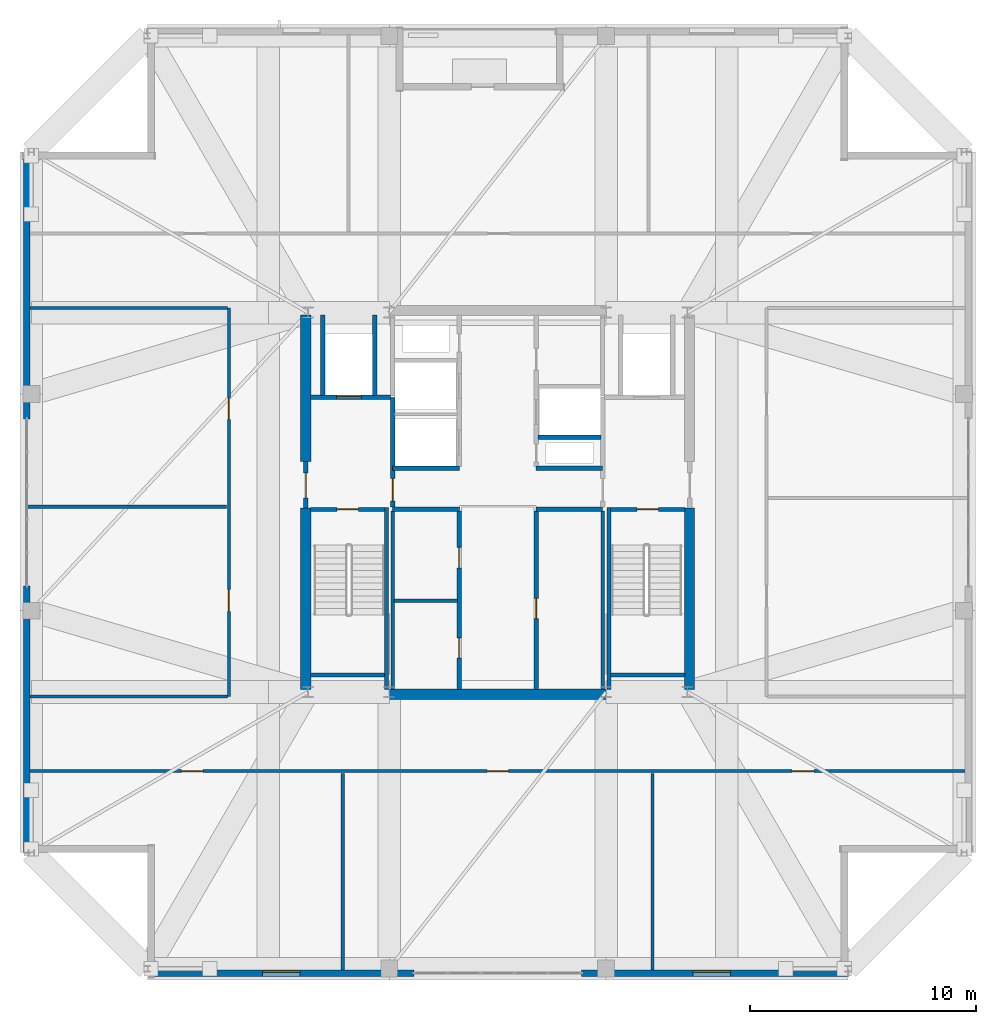
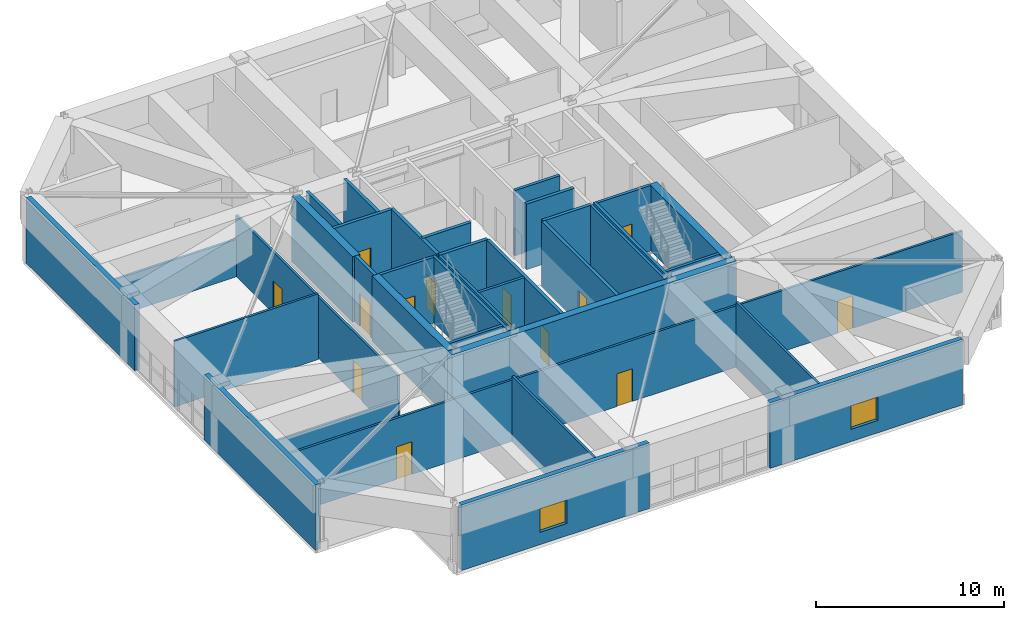
# One storey, part 12 of 17: 36 walls, 13 doors, 2 windows, 15 openings.
"""IFC4 building model written with IfcOpenShell, lengths in metres."""

from ifc_helpers import new_model, si_unit, direction, frame, frame_2d, origin, place, context, subcontext, project, spatial, rectangle, extrude, material, layer, layer_set, type_object, element, fill, save


model = new_model("IFC4")

# Units and contexts
model_context = context("Model", 3, precision=1e-05, world=origin(), true_north=direction((0.0, 1.0)))
body_context = subcontext(model_context, "Body", "Model", "MODEL_VIEW")
ifc_project = project(units=[si_unit("LENGTHUNIT", "METRE"), si_unit("AREAUNIT", "SQUARE_METRE"), si_unit("VOLUMEUNIT", "CUBIC_METRE"), si_unit("PLANEANGLEUNIT", "RADIAN"), si_unit("MASSUNIT", "GRAM", prefix="KILO")], contexts=[model_context])

# Site, building, storey
site_placement = place(None, origin())
site = spatial("IfcSite", under=ifc_project, at=site_placement, CompositionType="ELEMENT")
building_placement = place(site_placement, origin())
building = spatial("IfcBuilding", under=site, at=building_placement, Name="Cairnveth Concourse Tower", CompositionType="ELEMENT")
storey_placement = place(building_placement, frame((0.0, 0.0, 320.0)))
storey = spatial("IfcBuildingStorey", under=building, at=storey_placement, Name="L88", CompositionType="ELEMENT", Elevation=320.0)

# Walls
ifc_material_1 = material(Name="Gypsum Plasterboard Partition", Category="gypsum")
ifc_layer_1 = layer(ifc_material_1, 0.159912109375)
ifc_layer_set_1 = layer_set([ifc_layer_1], Name="Gypsum Plasterboard Partition")
wall_type_1 = type_object("IfcWallType", Name="ACOUSTIC PARTY WALL 180", PredefinedType="PARTITIONING", material=ifc_layer_set_1)
wall_1_placement = place(storey_placement, frame((47.35009765625, 30.7099609375, 0.0), z_axis=(0.0, 0.0, 1.0), x_axis=(0.0, 1.0, 0.0)))
element("IfcWall", 1, at=wall_1_placement, inside=storey, type_object=wall_type_1, Name="Interior Wall IW-L88-025", PredefinedType="PARTITIONING", context=body_context, shape_type="SweptSolid", body=[
    extrude(rectangle(XDim=7.905029296875, YDim=0.159912109375, at=frame_2d((3.95263671875, 0.0))), origin(), (0.0, 0.0, 1.0), 4.25),
])
wall_2_placement = place(storey_placement, frame((47.4150390625, 34.64990234375, 0.0), z_axis=(0.0, 0.0, 1.0), x_axis=(1.0, 0.0, 0.0)))
element("IfcWall", 2, at=wall_2_placement, inside=storey, type_object=wall_type_1, Name="Interior Wall IW-L88-026", PredefinedType="PARTITIONING", context=body_context, shape_type="SweptSolid", body=[
    extrude(rectangle(XDim=2.800048828125, YDim=0.159912109375, at=frame_2d((1.39990234375, 0.0))), origin(), (0.0, 0.0, 1.0), 4.25),
])
wall_3_placement = place(storey_placement, frame((56.64990234375, 30.7099609375, 0.0), z_axis=(0.0, 0.0, 1.0), x_axis=(0.0, 1.0, 0.0)))
element("IfcWall", 3, at=wall_3_placement, inside=storey, type_object=wall_type_1, Name="Interior Wall IW-L88-027", PredefinedType="PARTITIONING", context=body_context, shape_type="SweptSolid", body=[
    extrude(rectangle(XDim=7.905029296875, YDim=0.159912109375, at=frame_2d((3.95263671875, 0.0))), origin(), (0.0, 0.0, 1.0), 4.25),
])
ifc_material_2 = material(Name="Concrete N65 (65 MPa)", Category="concrete")
ifc_layer_2 = layer(ifc_material_2, 0.449951171875)
ifc_layer_set_2 = layer_set([ifc_layer_2], Name="Concrete N65 (65 MPa)")
wall_type_2 = type_object("IfcWallType", Name="CORE SHEAR WALL 450", PredefinedType="SHEAR", material=ifc_layer_set_2)
wall_4_placement = place(storey_placement, frame((43.27490234375, 30.5, 0.0), z_axis=(0.0, 0.0, 1.0), x_axis=(1.0, 0.0, 0.0)))
element("IfcWall", 4, at=wall_4_placement, inside=storey, type_object=wall_type_2, Name="Core South Shear Wall L88", PredefinedType="SHEAR", context=body_context, shape_type="SweptSolid", body=[
    extrude(rectangle(XDim=17.4501953125, YDim=0.449951171875, at=frame_2d((8.72509765625, 0.0))), origin(), (0.0, 0.0, 1.0), 4.25),
])
wall_5_placement = place(storey_placement, frame((43.5, 30.715087890625, 0.0), z_axis=(0.0, 0.0, 1.0), x_axis=(0.0, 1.0, 0.0)))
element("IfcWall", 5, at=wall_5_placement, inside=storey, type_object=wall_type_2, Name="Core West Shear Wall S L88", PredefinedType="SHEAR", context=body_context, shape_type="SweptSolid", body=[
    extrude(rectangle(XDim=8.034912109375, YDim=0.449951171875, at=frame_2d((4.017578125, 0.0))), origin(), (0.0, 0.0, 1.0), 4.25),
])
wall_6_placement = place(storey_placement, frame((43.5, 40.800048828125, 0.0), z_axis=(0.0, 0.0, 1.0), x_axis=(0.0, 1.0, 0.0)))
element("IfcWall", 6, at=wall_6_placement, inside=storey, type_object=wall_type_2, Name="Core West Shear Wall N L88", PredefinedType="SHEAR", context=body_context, shape_type="SweptSolid", body=[
    extrude(rectangle(XDim=6.48486328125, YDim=0.449951171875, at=frame_2d((3.242431640625, 0.0))), origin(), (0.0, 0.0, 1.0), 4.25),
])
wall_7_placement = place(storey_placement, frame((60.5, 30.715087890625, 0.0), z_axis=(0.0, 0.0, 1.0), x_axis=(0.0, 1.0, 0.0)))
element("IfcWall", 7, at=wall_7_placement, inside=storey, type_object=wall_type_2, Name="Core East Shear Wall S L88", PredefinedType="SHEAR", context=body_context, shape_type="SweptSolid", body=[
    extrude(rectangle(XDim=8.034912109375, YDim=0.449951171875, at=frame_2d((4.017578125, 0.0))), origin(), (0.0, 0.0, 1.0), 4.25),
])
ifc_material_3 = material(Name="Concrete N50 (50 MPa)", Category="concrete")
ifc_layer_3 = layer(ifc_material_3, 0.179931640625)
ifc_layer_set_3 = layer_set([ifc_layer_3], Name="Concrete N50 (50 MPa)")
wall_type_3 = type_object("IfcWallType", Name="FIRE SHAFT WALL 180", PredefinedType="SOLIDWALL", material=ifc_layer_set_3)
wall_8_placement = place(storey_placement, frame((53.784912109375, 41.8798828125, 0.0), z_axis=(0.0, 0.0, 1.0), x_axis=(1.0, 0.0, 0.0)))
element("IfcWall", 8, at=wall_8_placement, inside=storey, type_object=wall_type_3, Name="Interior Wall IW-L88-032", PredefinedType="SOLIDWALL", context=body_context, shape_type="SweptSolid", body=[
    extrude(rectangle(XDim=2.780029296875, YDim=0.179931640625, at=frame_2d((1.39013671875, 0.0))), origin(), (0.0, 0.0, 1.0), 4.25),
])

# Wall, opening, door
wall_9_placement = place(storey_placement, frame((43.715087890625, 38.68994140625, 0.0), z_axis=(0.0, 0.0, 1.0), x_axis=(1.0, 0.0, 0.0)))
wall_9 = element("IfcWall", 9, at=wall_9_placement, inside=storey, type_object=wall_type_3, Name="Stair ST-1 Shaft Wall NEAR L88", PredefinedType="SOLIDWALL", context=body_context, shape_type="SweptSolid", body=[
    extrude(rectangle(XDim=3.280029296875, YDim=0.179931640625, at=frame_2d((1.64013671875, 0.0))), origin(), (0.0, 0.0, 1.0), 4.25),
])
opening_1_placement = place(wall_9_placement, frame((1.1650390625, 0.0, 0.0)))
opening_1 = element("IfcOpeningElement", 10, at=opening_1_placement, cuts=wall_9, Name="Opening ID12", PredefinedType="OPENING", context=body_context, shape_type="SweptSolid", body=[
    extrude(rectangle(XDim=0.949951171875, YDim=2.14990234375, at=frame_2d((0.47509765625, 1.074951171875))), frame((0.0, 0.099853515625, 0.0), z_axis=(0.0, -1.0, 0.0), x_axis=(1.0, 0.0, 0.0)), (0.0, 0.0, 1.0), 0.199951171875),
])
ifc_material_4 = material(Name="Steel Grade 350", Category="steel")
door_type_1 = type_object("IfcDoorType", Name="FIRE STAIR DOOR 950X2150", OperationType="NOTDEFINED", PredefinedType="DOOR", material=ifc_material_4)
door_1_placement = place(opening_1_placement, origin())
door_1 = element("IfcDoor", 11, at=door_1_placement, inside=storey, type_object=door_type_1, Name="Stair ST-1 Fire Door L88", OperationType="SINGLE_SWING_LEFT", OverallHeight=2.14990234375, OverallWidth=0.949951171875, PredefinedType="DOOR", context=body_context, shape_type="SweptSolid", body=[
    extrude(rectangle(XDim=0.949951171875, YDim=2.14990234375, at=frame_2d((0.47509765625, 1.074951171875))), frame((0.0, 0.02490234375, 0.0), z_axis=(0.0, -1.0, 0.0), x_axis=(1.0, 0.0, 0.0)), (0.0, 0.0, 1.0), 0.050048828125),
])
fill(opening_1, door_1)

# Walls
wall_10_placement = place(storey_placement, frame((43.715087890625, 31.360107421875, 0.0), z_axis=(0.0, 0.0, 1.0), x_axis=(1.0, 0.0, 0.0)))
element("IfcWall", 12, at=wall_10_placement, inside=storey, type_object=wall_type_3, Name="Stair ST-1 Shaft Wall FAR L88", PredefinedType="SOLIDWALL", context=body_context, shape_type="SweptSolid", body=[
    extrude(rectangle(XDim=3.280029296875, YDim=0.179931640625, at=frame_2d((1.64013671875, 0.0))), origin(), (0.0, 0.0, 1.0), 4.25),
])
wall_11_placement = place(storey_placement, frame((47.070068359375, 38.780029296875, 0.0), z_axis=(0.0, 0.0, 1.0), x_axis=(0.0, -1.0, 0.0)))
element("IfcWall", 13, at=wall_11_placement, inside=storey, type_object=wall_type_3, Name="Stair ST-1 Shaft Wall RGHT L88", PredefinedType="SOLIDWALL", context=body_context, shape_type="SweptSolid", body=[
    extrude(rectangle(XDim=8.067138671875, YDim=0.179931640625, at=frame_2d((4.03369140625, 0.0))), origin(), (0.0, 0.0, 1.0), 4.25),
])

# Wall, opening, door
wall_12_placement = place(storey_placement, frame((57.0048828125, 38.68994140625, 0.0), z_axis=(0.0, 0.0, 1.0), x_axis=(1.0, 0.0, 0.0)))
wall_12 = element("IfcWall", 14, at=wall_12_placement, inside=storey, type_object=wall_type_3, Name="Stair ST-2 Shaft Wall NEAR L88", PredefinedType="SOLIDWALL", context=body_context, shape_type="SweptSolid", body=[
    extrude(rectangle(XDim=3.280029296875, YDim=0.179931640625, at=frame_2d((1.64013671875, 0.0))), origin(), (0.0, 0.0, 1.0), 4.25),
])
opening_2_placement = place(wall_12_placement, frame((1.1650390625, 0.0, 0.0)))
opening_2 = element("IfcOpeningElement", 15, at=opening_2_placement, cuts=wall_12, Name="Opening ID12", PredefinedType="OPENING", context=body_context, shape_type="SweptSolid", body=[
    extrude(rectangle(XDim=0.949951171875, YDim=2.14990234375, at=frame_2d((0.47509765625, 1.074951171875))), frame((0.0, 0.099853515625, 0.0), z_axis=(0.0, -1.0, 0.0), x_axis=(1.0, 0.0, 0.0)), (0.0, 0.0, 1.0), 0.199951171875),
])
door_2_placement = place(opening_2_placement, origin())
door_2 = element("IfcDoor", 16, at=door_2_placement, inside=storey, type_object=door_type_1, Name="Stair ST-2 Fire Door L88", OperationType="SINGLE_SWING_RIGHT", OverallHeight=2.14990234375, OverallWidth=0.949951171875, PredefinedType="DOOR", context=body_context, shape_type="SweptSolid", body=[
    extrude(rectangle(XDim=0.949951171875, YDim=2.14990234375, at=frame_2d((0.47509765625, 1.074951171875))), frame((0.0, 0.02490234375, 0.0), z_axis=(0.0, -1.0, 0.0), x_axis=(1.0, 0.0, 0.0)), (0.0, 0.0, 1.0), 0.050048828125),
])
fill(opening_2, door_2)

# Walls
wall_13_placement = place(storey_placement, frame((57.0048828125, 31.360107421875, 0.0), z_axis=(0.0, 0.0, 1.0), x_axis=(1.0, 0.0, 0.0)))
element("IfcWall", 17, at=wall_13_placement, inside=storey, type_object=wall_type_3, Name="Stair ST-2 Shaft Wall FAR L88", PredefinedType="SOLIDWALL", context=body_context, shape_type="SweptSolid", body=[
    extrude(rectangle(XDim=3.280029296875, YDim=0.179931640625, at=frame_2d((1.64013671875, 0.0))), origin(), (0.0, 0.0, 1.0), 4.25),
])
wall_14_placement = place(storey_placement, frame((56.929931640625, 38.780029296875, 0.0), z_axis=(0.0, 0.0, 1.0), x_axis=(0.0, -1.0, 0.0)))
element("IfcWall", 18, at=wall_14_placement, inside=storey, type_object=wall_type_3, Name="Stair ST-2 Shaft Wall LEFT L88", PredefinedType="SOLIDWALL", context=body_context, shape_type="SweptSolid", body=[
    extrude(rectangle(XDim=8.067138671875, YDim=0.179931640625, at=frame_2d((4.03369140625, 0.0))), origin(), (0.0, 0.0, 1.0), 4.25),
])
ifc_layer_4 = layer(ifc_material_3, 0.199951171875)
ifc_layer_set_4 = layer_set([ifc_layer_4], Name="Concrete N50 (50 MPa)")
wall_type_4 = type_object("IfcWallType", Name="FIRE SHAFT WALL 200", PredefinedType="SOLIDWALL", material=ifc_layer_set_4)
for number, where, z_axis, x_axis, name in (
    (19, (47.35009765625, 38.699951171875, 0.0), (0.0, 0.0, 1.0), (1.0, 0.0, 0.0), "Interior Wall IW-L88-007"),
    (20, (47.35009765625, 40.5, 0.0), (0.0, 0.0, 1.0), (1.0, 0.0, 0.0), "Interior Wall IW-L88-008"),
    (21, (53.699951171875, 38.699951171875, 0.0), (0.0, 0.0, 1.0), (1.0, 0.0, 0.0), "Interior Wall IW-L88-009"),
    (22, (53.699951171875, 40.5, 0.0), (0.0, 0.0, 1.0), (1.0, 0.0, 0.0), "Interior Wall IW-L88-010"),
):
    element("IfcWall", number, at=place(storey_placement, frame(where, z_axis=z_axis, x_axis=x_axis)), inside=storey, type_object=wall_type_4, Name=name, PredefinedType="SOLIDWALL", context=body_context, shape_type="SweptSolid", body=[
        extrude(rectangle(XDim=2.949951171875, YDim=0.199951171875, at=frame_2d((1.47509765625, 0.0))), origin(), (0.0, 0.0, 1.0), 4.25),
    ])

# Wall, openings, doors
wall_15_placement = place(storey_placement, frame((50.300048828125, 30.7099609375, 0.0), z_axis=(0.0, 0.0, 1.0), x_axis=(0.0, 1.0, 0.0)))
wall_15 = element("IfcWall", 23, at=wall_15_placement, inside=storey, type_object=wall_type_4, Name="Interior Wall IW-L88-011", PredefinedType="SOLIDWALL", context=body_context, shape_type="SweptSolid", body=[
    extrude(rectangle(XDim=7.905029296875, YDim=0.199951171875, at=frame_2d((3.95263671875, 0.0))), origin(), (0.0, 0.0, 1.0), 4.25),
])
opening_3_placement = place(wall_15_placement, frame((1.389892578125, 0.0, 0.0)))
opening_3 = element("IfcOpeningElement", 24, at=opening_3_placement, cuts=wall_15, Name="Opening ID26", PredefinedType="OPENING", context=body_context, shape_type="SweptSolid", body=[
    extrude(rectangle(XDim=0.89990234375, YDim=2.1201171875, at=frame_2d((0.449951171875, 1.06005859375))), frame((0.0, 0.10986328125, 0.0), z_axis=(0.0, -1.0, 0.0), x_axis=(1.0, 0.0, 0.0)), (0.0, 0.0, 1.0), 0.219970703125),
])
opening_4_placement = place(wall_15_placement, frame((5.389892578125, 0.0, 0.0)))
opening_4 = element("IfcOpeningElement", 25, at=opening_4_placement, cuts=wall_15, Name="Opening ID26", PredefinedType="OPENING", context=body_context, shape_type="SweptSolid", body=[
    extrude(rectangle(XDim=0.89990234375, YDim=2.1201171875, at=frame_2d((0.449951171875, 1.06005859375))), frame((0.0, 0.10986328125, 0.0), z_axis=(0.0, -1.0, 0.0), x_axis=(1.0, 0.0, 0.0)), (0.0, 0.0, 1.0), 0.219970703125),
])
door_type_2 = type_object("IfcDoorType", Name="CORE TOILET FIRE DOOR 900X2120", OperationType="NOTDEFINED", PredefinedType="DOOR", material=ifc_material_4)
door_3_placement = place(opening_3_placement, origin())
door_3 = element("IfcDoor", 26, at=door_3_placement, inside=storey, type_object=door_type_2, Name="Male WC Door L88", OperationType="SINGLE_SWING_LEFT", OverallHeight=2.1201171875, OverallWidth=0.89990234375, PredefinedType="DOOR", context=body_context, shape_type="SweptSolid", body=[
    extrude(rectangle(XDim=0.89990234375, YDim=2.1201171875, at=frame_2d((0.449951171875, 1.06005859375))), frame((0.0, 0.02490234375, 0.0), z_axis=(0.0, -1.0, 0.0), x_axis=(1.0, 0.0, 0.0)), (0.0, 0.0, 1.0), 0.050048828125),
])
fill(opening_3, door_3)
door_4_placement = place(opening_4_placement, origin())
door_4 = element("IfcDoor", 27, at=door_4_placement, inside=storey, type_object=door_type_2, Name="Female WC Door L88", OperationType="SINGLE_SWING_RIGHT", OverallHeight=2.1201171875, OverallWidth=0.89990234375, PredefinedType="DOOR", context=body_context, shape_type="SweptSolid", body=[
    extrude(rectangle(XDim=0.89990234375, YDim=2.1201171875, at=frame_2d((0.449951171875, 1.06005859375))), frame((0.0, 0.02490234375, 0.0), z_axis=(0.0, -1.0, 0.0), x_axis=(1.0, 0.0, 0.0)), (0.0, 0.0, 1.0), 0.050048828125),
])
fill(opening_4, door_4)

# Wall, opening, door
wall_16_placement = place(storey_placement, frame((53.699951171875, 30.7099609375, 0.0), z_axis=(0.0, 0.0, 1.0), x_axis=(0.0, 1.0, 0.0)))
wall_16 = element("IfcWall", 28, at=wall_16_placement, inside=storey, type_object=wall_type_4, Name="Interior Wall IW-L88-012", PredefinedType="SOLIDWALL", context=body_context, shape_type="SweptSolid", body=[
    extrude(rectangle(XDim=7.905029296875, YDim=0.199951171875, at=frame_2d((3.95263671875, 0.0))), origin(), (0.0, 0.0, 1.0), 4.25),
])
opening_5_placement = place(wall_16_placement, frame((3.139892578125, 0.0, 0.0)))
opening_5 = element("IfcOpeningElement", 29, at=opening_5_placement, cuts=wall_16, Name="Opening ID16", PredefinedType="OPENING", context=body_context, shape_type="SweptSolid", body=[
    extrude(rectangle(XDim=0.89990234375, YDim=2.1201171875, at=frame_2d((0.449951171875, 1.06005859375))), frame((0.0, 0.10986328125, 0.0), z_axis=(0.0, -1.0, 0.0), x_axis=(1.0, 0.0, 0.0)), (0.0, 0.0, 1.0), 0.219970703125),
])
door_type_3 = type_object("IfcDoorType", Name="CORE SERVICE DOOR 900X2100", OperationType="NOTDEFINED", PredefinedType="DOOR", material=ifc_material_4)
door_5_placement = place(opening_5_placement, origin())
door_5 = element("IfcDoor", 30, at=door_5_placement, inside=storey, type_object=door_type_3, Name="Sky Pantry Door L88", OperationType="SINGLE_SWING_LEFT", OverallHeight=2.1201171875, OverallWidth=0.89990234375, PredefinedType="DOOR", context=body_context, shape_type="SweptSolid", body=[
    extrude(rectangle(XDim=0.89990234375, YDim=2.1201171875, at=frame_2d((0.449951171875, 1.06005859375))), frame((0.0, 0.02490234375, 0.0), z_axis=(0.0, -1.0, 0.0), x_axis=(1.0, 0.0, 0.0)), (0.0, 0.0, 1.0), 0.050048828125),
])
fill(opening_5, door_5)

wall_17_placement = place(storey_placement, frame((43.5, 38.75, 0.0), z_axis=(0.0, 0.0, 1.0), x_axis=(0.0, 1.0, 0.0)))
wall_17 = element("IfcWall", 31, at=wall_17_placement, inside=storey, type_object=wall_type_4, Name="Interior Wall IW-L88-015", PredefinedType="SOLIDWALL", context=body_context, shape_type="SweptSolid", body=[
    extrude(rectangle(XDim=2.050048828125, YDim=0.199951171875, at=frame_2d((1.02490234375, 0.0))), origin(), (0.0, 0.0, 1.0), 4.25),
])
opening_6_placement = place(wall_17_placement, frame((0.449951171875, 0.0, 0.0)))
opening_6 = element("IfcOpeningElement", 32, at=opening_6_placement, cuts=wall_17, Name="Opening ID06", PredefinedType="OPENING", context=body_context, shape_type="SweptSolid", body=[
    extrude(rectangle(XDim=1.10009765625, YDim=2.14990234375, at=frame_2d((0.550048828125, 1.074951171875))), frame((0.0, 0.10986328125, 0.0), z_axis=(0.0, -1.0, 0.0), x_axis=(1.0, 0.0, 0.0)), (0.0, 0.0, 1.0), 0.219970703125),
])
door_type_4 = type_object("IfcDoorType", Name="FIRE CORRIDOR DOOR 1100X2150", OperationType="NOTDEFINED", PredefinedType="DOOR", material=ifc_material_4)
door_6_placement = place(opening_6_placement, origin())
door_6 = element("IfcDoor", 33, at=door_6_placement, inside=storey, type_object=door_type_4, Name="West Wing to FF Lobby Door L88", OperationType="SINGLE_SWING_LEFT", OverallHeight=2.14990234375, OverallWidth=1.10009765625, PredefinedType="DOOR", context=body_context, shape_type="SweptSolid", body=[
    extrude(rectangle(XDim=1.10009765625, YDim=2.14990234375, at=frame_2d((0.550048828125, 1.074951171875))), frame((0.0, 0.02490234375, 0.0), z_axis=(0.0, -1.0, 0.0), x_axis=(1.0, 0.0, 0.0)), (0.0, 0.0, 1.0), 0.050048828125),
])
fill(opening_6, door_6)

wall_18_placement = place(storey_placement, frame((47.35009765625, 38.784912109375, 0.0), z_axis=(0.0, 0.0, 1.0), x_axis=(0.0, 1.0, 0.0)))
wall_18 = element("IfcWall", 34, at=wall_18_placement, inside=storey, type_object=wall_type_4, Name="Interior Wall IW-L88-016", PredefinedType="SOLIDWALL", context=body_context, shape_type="SweptSolid", body=[
    extrude(rectangle(XDim=4.864990234375, YDim=0.199951171875, at=frame_2d((2.4326171875, 0.0))), origin(), (0.0, 0.0, 1.0), 4.25),
])
opening_7_placement = place(wall_18_placement, frame((0.264892578125, 0.0, 0.0)))
opening_7 = element("IfcOpeningElement", 35, at=opening_7_placement, cuts=wall_18, Name="Opening ID07", PredefinedType="OPENING", context=body_context, shape_type="SweptSolid", body=[
    extrude(rectangle(XDim=1.0, YDim=2.14990234375, at=frame_2d((0.5, 1.074951171875))), frame((0.0, 0.10986328125, 0.0), z_axis=(0.0, -1.0, 0.0), x_axis=(1.0, 0.0, 0.0)), (0.0, 0.0, 1.0), 0.219970703125),
])
door_type_5 = type_object("IfcDoorType", Name="FIRE CORRIDOR DOOR 1000X2150", OperationType="NOTDEFINED", PredefinedType="DOOR", material=ifc_material_4)
door_7_placement = place(opening_7_placement, origin())
door_7 = element("IfcDoor", 36, at=door_7_placement, inside=storey, type_object=door_type_5, Name="FF Lobby West to Lift Lobby Door L88", OperationType="SINGLE_SWING_RIGHT", OverallHeight=2.14990234375, OverallWidth=1.0, PredefinedType="DOOR", context=body_context, shape_type="SweptSolid", body=[
    extrude(rectangle(XDim=1.0, YDim=2.14990234375, at=frame_2d((0.5, 1.074951171875))), frame((0.0, 0.02490234375, 0.0), z_axis=(0.0, -1.0, 0.0), x_axis=(1.0, 0.0, 0.0)), (0.0, 0.0, 1.0), 0.050048828125),
])
fill(opening_7, door_7)

wall_19_placement = place(storey_placement, frame((43.7099609375, 43.64990234375, 0.0), z_axis=(0.0, 0.0, 1.0), x_axis=(1.0, 0.0, 0.0)))
wall_19 = element("IfcWall", 37, at=wall_19_placement, inside=storey, type_object=wall_type_4, Name="Interior Wall IW-L88-017", PredefinedType="SOLIDWALL", context=body_context, shape_type="SweptSolid", body=[
    extrude(rectangle(XDim=3.554931640625, YDim=0.199951171875, at=frame_2d((1.77734375, 0.0))), origin(), (0.0, 0.0, 1.0), 4.25),
])
opening_8_placement = place(wall_19_placement, frame((1.159912109375, 0.0, 0.0)))
opening_8 = element("IfcOpeningElement", 38, at=opening_8_placement, cuts=wall_19, Name="Opening LD-1", PredefinedType="OPENING", context=body_context, shape_type="SweptSolid", body=[
    extrude(rectangle(XDim=1.10009765625, YDim=2.199951171875, at=frame_2d((0.550048828125, 1.10009765625))), frame((0.0, 0.10986328125, 0.0), z_axis=(0.0, -1.0, 0.0), x_axis=(1.0, 0.0, 0.0)), (0.0, 0.0, 1.0), 0.219970703125),
])
ifc_material_5 = material(Name="Architectural Bronze Anodised Aluminium 6063-T6", Category="aluminium")
door_type_6 = type_object("IfcDoorType", Name="LIFT LANDING DOOR 1100X2200", OperationType="SLIDING_TO_LEFT", PredefinedType="DOOR", material=ifc_material_5)
door_8_placement = place(opening_8_placement, origin())
door_8 = element("IfcDoor", 39, at=door_8_placement, inside=storey, type_object=door_type_6, Name="Lift FFL1 Landing Door L88", OperationType="SLIDING_TO_LEFT", OverallHeight=2.199951171875, OverallWidth=1.10009765625, PredefinedType="DOOR", context=body_context, shape_type="SweptSolid", body=[
    extrude(rectangle(XDim=1.10009765625, YDim=2.199951171875, at=frame_2d((0.550048828125, 1.10009765625))), frame((0.0, 0.02490234375, 0.0), z_axis=(0.0, -1.0, 0.0), x_axis=(1.0, 0.0, 0.0)), (0.0, 0.0, 1.0), 0.050048828125),
])
fill(opening_8, door_8)

# Walls
for number, where, z_axis, x_axis, name in (
    (40, (46.550048828125, 43.735107421875, 0.0), (0.0, 0.0, 1.0), (0.0, 1.0, 0.0), "Interior Wall IW-L88-018"),
    (41, (44.25, 43.735107421875, 0.0), (0.0, 0.0, 1.0), (0.0, 1.0, 0.0), "Interior Wall IW-L88-019"),
):
    element("IfcWall", number, at=place(storey_placement, frame(where, z_axis=z_axis, x_axis=x_axis)), inside=storey, type_object=wall_type_4, Name=name, PredefinedType="SOLIDWALL", context=body_context, shape_type="SweptSolid", body=[
        extrude(rectangle(XDim=3.554931640625, YDim=0.199951171875, at=frame_2d((1.77734375, 0.0))), origin(), (0.0, 0.0, 1.0), 4.25),
    ])

# Wall, openings, doors
ifc_layer_5 = layer(ifc_material_1, 0.139892578125)
ifc_layer_set_5 = layer_set([ifc_layer_5], Name="Gypsum Plasterboard Partition")
wall_type_5 = type_object("IfcWallType", Name="GYPSUM STUD PARTITION 140", PredefinedType="PARTITIONING", material=ifc_layer_set_5)
wall_20_placement = place(storey_placement, frame((31.284912109375, 27.10009765625, 0.0), z_axis=(0.0, 0.0, 1.0), x_axis=(1.0, 0.0, 0.0)))
wall_20 = element("IfcWall", 42, at=wall_20_placement, inside=storey, type_object=wall_type_5, Name="Interior Wall IW-L88-034", PredefinedType="PARTITIONING", context=body_context, shape_type="SweptSolid", body=[
    extrude(rectangle(XDim=41.43017578125, YDim=0.139892578125, at=frame_2d((20.715087890625, 0.0))), origin(), (0.0, 0.0, 1.0), 3.968994140625),
])
opening_9_placement = place(wall_20_placement, frame((6.715087890625, 0.0, 0.0)))
opening_9 = element("IfcOpeningElement", 43, at=opening_9_placement, cuts=wall_20, Name="Opening ID11", PredefinedType="OPENING", context=body_context, shape_type="SweptSolid", body=[
    extrude(rectangle(XDim=0.9599609375, YDim=2.1201171875, at=frame_2d((0.47998046875, 1.06005859375))), frame((0.0, 0.079833984375, 0.0), z_axis=(0.0, -1.0, 0.0), x_axis=(1.0, 0.0, 0.0)), (0.0, 0.0, 1.0), 0.159912109375),
])
opening_10_placement = place(wall_20_placement, frame((20.235107421875, 0.0, 0.0)))
opening_10 = element("IfcOpeningElement", 44, at=opening_10_placement, cuts=wall_20, Name="Opening ID11", PredefinedType="OPENING", context=body_context, shape_type="SweptSolid", body=[
    extrude(rectangle(XDim=0.9599609375, YDim=2.1201171875, at=frame_2d((0.47998046875, 1.06005859375))), frame((0.0, 0.079833984375, 0.0), z_axis=(0.0, -1.0, 0.0), x_axis=(1.0, 0.0, 0.0)), (0.0, 0.0, 1.0), 0.159912109375),
])
opening_11_placement = place(wall_20_placement, frame((33.7548828125, 0.0, 0.0)))
opening_11 = element("IfcOpeningElement", 45, at=opening_11_placement, cuts=wall_20, Name="Opening ID11", PredefinedType="OPENING", context=body_context, shape_type="SweptSolid", body=[
    extrude(rectangle(XDim=0.9599609375, YDim=2.1201171875, at=frame_2d((0.47998046875, 1.06005859375))), frame((0.0, 0.079833984375, 0.0), z_axis=(0.0, -1.0, 0.0), x_axis=(1.0, 0.0, 0.0)), (0.0, 0.0, 1.0), 0.159912109375),
])
ifc_material_6 = material(Name="Solid Core Hardwood Timber Leaf", Category="wood")
door_type_7 = type_object("IfcDoorType", Name="INTERIOR SINGLE DOOR 960X2150", OperationType="NOTDEFINED", PredefinedType="DOOR", material=ifc_material_6)
door_9_placement = place(opening_9_placement, origin())
door_9 = element("IfcDoor", 46, at=door_9_placement, inside=storey, type_object=door_type_7, Name="Office Door L88-S1", OperationType="SINGLE_SWING_RIGHT", OverallHeight=2.1201171875, OverallWidth=0.9599609375, PredefinedType="DOOR", context=body_context, shape_type="SweptSolid", body=[
    extrude(rectangle(XDim=0.9599609375, YDim=2.1201171875, at=frame_2d((0.47998046875, 1.06005859375))), frame((0.0, 0.02490234375, 0.0), z_axis=(0.0, -1.0, 0.0), x_axis=(1.0, 0.0, 0.0)), (0.0, 0.0, 1.0), 0.050048828125),
])
fill(opening_9, door_9)
door_10_placement = place(opening_10_placement, origin())
door_10 = element("IfcDoor", 47, at=door_10_placement, inside=storey, type_object=door_type_7, Name="Office Door L88-S2", OperationType="SINGLE_SWING_LEFT", OverallHeight=2.1201171875, OverallWidth=0.9599609375, PredefinedType="DOOR", context=body_context, shape_type="SweptSolid", body=[
    extrude(rectangle(XDim=0.9599609375, YDim=2.1201171875, at=frame_2d((0.47998046875, 1.06005859375))), frame((0.0, 0.02490234375, 0.0), z_axis=(0.0, -1.0, 0.0), x_axis=(1.0, 0.0, 0.0)), (0.0, 0.0, 1.0), 0.050048828125),
])
fill(opening_10, door_10)
door_11_placement = place(opening_11_placement, origin())
door_11 = element("IfcDoor", 48, at=door_11_placement, inside=storey, type_object=door_type_7, Name="Office Door L88-S3", OperationType="SINGLE_SWING_RIGHT", OverallHeight=2.1201171875, OverallWidth=0.9599609375, PredefinedType="DOOR", context=body_context, shape_type="SweptSolid", body=[
    extrude(rectangle(XDim=0.9599609375, YDim=2.1201171875, at=frame_2d((0.47998046875, 1.06005859375))), frame((0.0, 0.02490234375, 0.0), z_axis=(0.0, -1.0, 0.0), x_axis=(1.0, 0.0, 0.0)), (0.0, 0.0, 1.0), 0.050048828125),
])
fill(opening_11, door_11)

wall_21_placement = place(storey_placement, frame((40.10009765625, 30.39990234375, 0.0), z_axis=(0.0, 0.0, 1.0), x_axis=(0.0, 1.0, 0.0)))
wall_21 = element("IfcWall", 49, at=wall_21_placement, inside=storey, type_object=wall_type_5, Name="Interior Wall IW-L88-036", PredefinedType="PARTITIONING", context=body_context, shape_type="SweptSolid", body=[
    extrude(rectangle(XDim=17.2001953125, YDim=0.139892578125, at=frame_2d((8.60009765625, 0.0))), origin(), (0.0, 0.0, 1.0), 3.968994140625),
])
opening_12_placement = place(wall_21_placement, frame((3.7724609375, 0.0, 0.0)))
opening_12 = element("IfcOpeningElement", 50, at=opening_12_placement, cuts=wall_21, Name="Opening ID11", PredefinedType="OPENING", context=body_context, shape_type="SweptSolid", body=[
    extrude(rectangle(XDim=0.9599609375, YDim=2.1201171875, at=frame_2d((0.47998046875, 1.06005859375))), frame((0.0, 0.079833984375, 0.0), z_axis=(0.0, -1.0, 0.0), x_axis=(1.0, 0.0, 0.0)), (0.0, 0.0, 1.0), 0.159912109375),
])
opening_13_placement = place(wall_21_placement, frame((12.2724609375, 0.0, 0.0)))
opening_13 = element("IfcOpeningElement", 51, at=opening_13_placement, cuts=wall_21, Name="Opening ID11", PredefinedType="OPENING", context=body_context, shape_type="SweptSolid", body=[
    extrude(rectangle(XDim=0.9599609375, YDim=2.1201171875, at=frame_2d((0.47998046875, 1.06005859375))), frame((0.0, 0.079833984375, 0.0), z_axis=(0.0, -1.0, 0.0), x_axis=(1.0, 0.0, 0.0)), (0.0, 0.0, 1.0), 0.159912109375),
])
door_12_placement = place(opening_12_placement, origin())
door_12 = element("IfcDoor", 52, at=door_12_placement, inside=storey, type_object=door_type_7, Name="Office Door L88-W1", OperationType="SINGLE_SWING_RIGHT", OverallHeight=2.1201171875, OverallWidth=0.9599609375, PredefinedType="DOOR", context=body_context, shape_type="SweptSolid", body=[
    extrude(rectangle(XDim=0.9599609375, YDim=2.1201171875, at=frame_2d((0.47998046875, 1.06005859375))), frame((0.0, 0.02490234375, 0.0), z_axis=(0.0, -1.0, 0.0), x_axis=(1.0, 0.0, 0.0)), (0.0, 0.0, 1.0), 0.050048828125),
])
fill(opening_12, door_12)
door_13_placement = place(opening_13_placement, origin())
door_13 = element("IfcDoor", 53, at=door_13_placement, inside=storey, type_object=door_type_7, Name="Office Door L88-W2", OperationType="SINGLE_SWING_LEFT", OverallHeight=2.1201171875, OverallWidth=0.9599609375, PredefinedType="DOOR", context=body_context, shape_type="SweptSolid", body=[
    extrude(rectangle(XDim=0.9599609375, YDim=2.1201171875, at=frame_2d((0.47998046875, 1.06005859375))), frame((0.0, 0.02490234375, 0.0), z_axis=(0.0, -1.0, 0.0), x_axis=(1.0, 0.0, 0.0)), (0.0, 0.0, 1.0), 0.050048828125),
])
fill(opening_13, door_13)

# Walls
for number, where, z_axis, x_axis, name in (
    (54, (31.284912109375, 30.39990234375, 0.0), (0.0, 0.0, 1.0), (1.0, 0.0, 0.0), "Interior Wall IW-L88-038"),
    (55, (31.284912109375, 47.60009765625, 0.0), (0.0, 0.0, 1.0), (1.0, 0.0, 0.0), "Interior Wall IW-L88-039"),
):
    element("IfcWall", number, at=place(storey_placement, frame(where, z_axis=z_axis, x_axis=x_axis)), inside=storey, type_object=wall_type_5, Name=name, PredefinedType="PARTITIONING", context=body_context, shape_type="SweptSolid", body=[
        extrude(rectangle(XDim=8.760009765625, YDim=0.139892578125, at=frame_2d((4.3798828125, 0.0))), origin(), (0.0, 0.0, 1.0), 2.425048828125),
    ])
for number, where, z_axis, x_axis, name in (
    (56, (45.139892578125, 18.284912109375, 0.0), (0.0, 0.0, 1.0), (0.0, 1.0, 0.0), "Interior Wall IW-L88-042"),
    (57, (58.860107421875, 18.284912109375, 0.0), (0.0, 0.0, 1.0), (0.0, 1.0, 0.0), "Interior Wall IW-L88-043"),
):
    element("IfcWall", number, at=place(storey_placement, frame(where, z_axis=z_axis, x_axis=x_axis)), inside=storey, type_object=wall_type_5, Name=name, PredefinedType="PARTITIONING", context=body_context, shape_type="SweptSolid", body=[
        extrude(rectangle(XDim=8.715087890625, YDim=0.139892578125, at=frame_2d((4.357421875, 0.0))), origin(), (0.0, 0.0, 1.0), 4.25),
    ])
wall_22_placement = place(storey_placement, frame((31.169921875, 38.804931640625, 0.0), z_axis=(0.0, 0.0, 1.0), x_axis=(1.0, 0.0, 0.0)))
element("IfcWall", 58, at=wall_22_placement, inside=storey, type_object=wall_type_5, Name="Interior Wall IW-L88-046", PredefinedType="PARTITIONING", context=body_context, shape_type="SweptSolid", body=[
    extrude(rectangle(XDim=8.830078125, YDim=0.139892578125, at=frame_2d((4.4150390625, 0.0))), origin(), (0.0, 0.0, 1.0), 4.25),
])

# Wall, opening, window
ifc_material_7 = material(Name="Hawthorn Red-Ochre Fired Clay Brick Masonry", Category="masonry")
ifc_layer_6 = layer(ifc_material_7, 0.300048828125)
ifc_layer_set_6 = layer_set([ifc_layer_6], Name="Hawthorn Red-Ochre Fired Clay Brick Masonry")
wall_type_6 = type_object("IfcWallType", Name="ZONE 4 BRICK PIER SPANDREL WALL 300", PredefinedType="SOLIDWALL", material=ifc_layer_set_6)
wall_23_placement = place(storey_placement, frame((67.5, 18.14990234375, 0.0), z_axis=(0.0, 0.0, 1.0), x_axis=(-1.0, 0.0, 0.0)))
wall_23 = element("IfcWall", 59, at=wall_23_placement, inside=storey, type_object=wall_type_6, Name="Exterior Wall EW-L88-S6A", PredefinedType="SOLIDWALL", context=body_context, shape_type="SweptSolid", body=[
    extrude(rectangle(XDim=11.800048828125, YDim=0.300048828125, at=frame_2d((5.89990234375, 0.0))), origin(), (0.0, 0.0, 1.0), 4.25),
])
opening_14_placement = place(wall_23_placement, frame((5.199951171875, 0.0, 0.800048828125)))
opening_14 = element("IfcOpeningElement", 60, at=opening_14_placement, cuts=wall_23, Name="Opening W04", PredefinedType="OPENING", context=body_context, shape_type="SweptSolid", body=[
    extrude(rectangle(XDim=1.64990234375, YDim=1.530029296875, at=frame_2d((0.824951171875, 0.76513671875))), frame((0.0, 0.159912109375, 0.0), z_axis=(0.0, -1.0, 0.0), x_axis=(1.0, 0.0, 0.0)), (0.0, 0.0, 1.0), 0.320068359375),
])
ifc_material_8 = material(Name="Double Glazed Low-E Clear Glass", Category="glass")
window_type = type_object("IfcWindowType", Name="DEEP-SET GOTHIC LANCET WINDOW 1650X1850", PartitioningType="DOUBLE_PANEL_VERTICAL", PredefinedType="WINDOW", material=ifc_material_8)
window_1_placement = place(opening_14_placement, origin())
window_1 = element("IfcWindow", 61, at=window_1_placement, inside=storey, type_object=window_type, Name="WIN-L88-S6-A", OverallHeight=1.530029296875, OverallWidth=1.64990234375, PartitioningType="SINGLE_PANEL", PredefinedType="WINDOW", context=body_context, shape_type="SweptSolid", body=[
    extrude(rectangle(XDim=1.64990234375, YDim=1.530029296875, at=frame_2d((0.824951171875, 0.76513671875))), frame((0.0, -0.0400390625, 0.0), z_axis=(0.0, -1.0, 0.0), x_axis=(1.0, 0.0, 0.0)), (0.0, 0.0, 1.0), 0.06005859375),
])
fill(opening_14, window_1)

wall_24_placement = place(storey_placement, frame((48.300048828125, 18.14990234375, 0.0), z_axis=(0.0, 0.0, 1.0), x_axis=(-1.0, 0.0, 0.0)))
wall_24 = element("IfcWall", 62, at=wall_24_placement, inside=storey, type_object=wall_type_6, Name="Exterior Wall EW-L88-S6B", PredefinedType="SOLIDWALL", context=body_context, shape_type="SweptSolid", body=[
    extrude(rectangle(XDim=11.52197265625, YDim=0.300048828125, at=frame_2d((5.760986328125, 0.0))), origin(), (0.0, 0.0, 1.0), 4.25),
])
opening_15_placement = place(wall_24_placement, frame((5.06103515625, 0.0, 0.800048828125)))
opening_15 = element("IfcOpeningElement", 63, at=opening_15_placement, cuts=wall_24, Name="Opening W04", PredefinedType="OPENING", context=body_context, shape_type="SweptSolid", body=[
    extrude(rectangle(XDim=1.64990234375, YDim=1.530029296875, at=frame_2d((0.824951171875, 0.76513671875))), frame((0.0, 0.159912109375, 0.0), z_axis=(0.0, -1.0, 0.0), x_axis=(1.0, 0.0, 0.0)), (0.0, 0.0, 1.0), 0.320068359375),
])
window_2_placement = place(opening_15_placement, origin())
window_2 = element("IfcWindow", 64, at=window_2_placement, inside=storey, type_object=window_type, Name="WIN-L88-S6-B", OverallHeight=1.530029296875, OverallWidth=1.64990234375, PartitioningType="SINGLE_PANEL", PredefinedType="WINDOW", context=body_context, shape_type="SweptSolid", body=[
    extrude(rectangle(XDim=1.64990234375, YDim=1.530029296875, at=frame_2d((0.824951171875, 0.76513671875))), frame((0.0, -0.0400390625, 0.0), z_axis=(0.0, -1.0, 0.0), x_axis=(1.0, 0.0, 0.0)), (0.0, 0.0, 1.0), 0.06005859375),
])
fill(opening_15, window_2)

# Walls
wall_25_placement = place(storey_placement, frame((31.14990234375, 23.5, 0.0), z_axis=(0.0, 0.0, 1.0), x_axis=(0.0, 1.0, 0.0)))
element("IfcWall", 65, at=wall_25_placement, inside=storey, type_object=wall_type_6, Name="Exterior Wall EW-L88-S9A", PredefinedType="SOLIDWALL", context=body_context, shape_type="SweptSolid", body=[
    extrude(rectangle(XDim=11.800048828125, YDim=0.300048828125, at=frame_2d((5.89990234375, 0.0))), origin(), (0.0, 0.0, 1.0), 4.25),
])
wall_26_placement = place(storey_placement, frame((31.14990234375, 42.699951171875, 0.0), z_axis=(0.0, 0.0, 1.0), x_axis=(0.0, 1.0, 0.0)))
element("IfcWall", 66, at=wall_26_placement, inside=storey, type_object=wall_type_6, Name="Exterior Wall EW-L88-S9B", PredefinedType="SOLIDWALL", context=body_context, shape_type="SweptSolid", body=[
    extrude(rectangle(XDim=11.52197265625, YDim=0.300048828125, at=frame_2d((5.760986328125, 0.0))), origin(), (0.0, 0.0, 1.0), 4.25),
])

save(model, "model.ifc")
